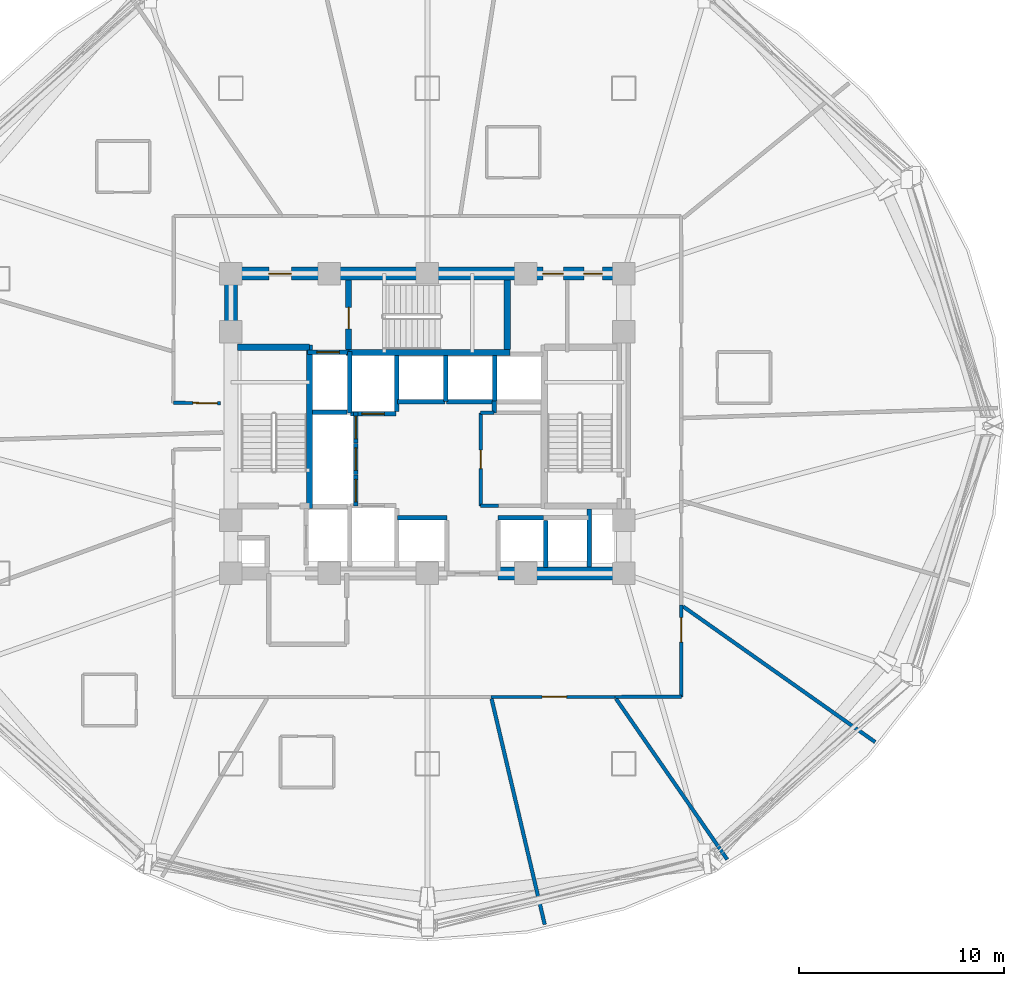
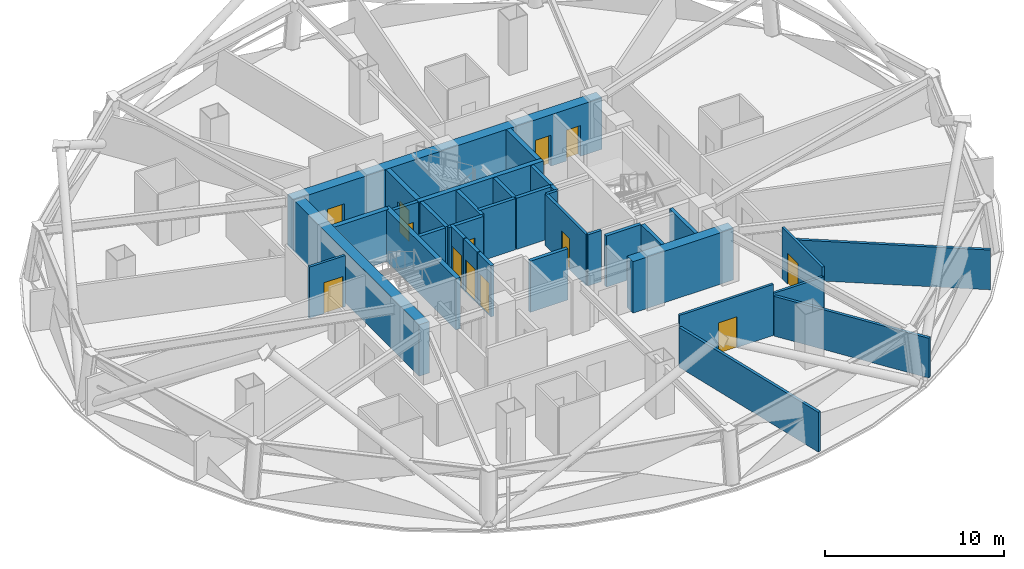
# One storey, part 6 of 13: 35 walls, 13 doors, 13 openings.
"""IFC4 building model written with IfcOpenShell, lengths in metres."""

from ifc_helpers import new_model, si_unit, direction, frame, frame_2d, origin, place, context, subcontext, project, spatial, rectangle, extrude, material, layer, layer_set, type_object, element, fill, save


model = new_model("IFC4")

# Units and contexts
model_context = context("Model", 3, precision=1e-05, world=origin(), true_north=direction((0.0, 1.0)))
body_context = subcontext(model_context, "Body", "Model", "MODEL_VIEW")
ifc_project = project(units=[si_unit("LENGTHUNIT", "METRE"), si_unit("AREAUNIT", "SQUARE_METRE"), si_unit("VOLUMEUNIT", "CUBIC_METRE"), si_unit("PLANEANGLEUNIT", "RADIAN"), si_unit("MASSUNIT", "GRAM", prefix="KILO")], contexts=[model_context])

# Site, building, storey
site_placement = place(None, origin())
site = spatial("IfcSite", under=ifc_project, at=site_placement, CompositionType="ELEMENT")
building_placement = place(site_placement, origin())
building = spatial("IfcBuilding", under=site, at=building_placement, Name="Vantalir Tower", CompositionType="ELEMENT")
storey_placement = place(building_placement, frame((0.0, 0.0, 87.0)))
storey = spatial("IfcBuildingStorey", under=building, at=storey_placement, Name="L21", CompositionType="ELEMENT", Elevation=87.0)

# Wall
ifc_material_1 = material(Name="Concrete C60/75", Category="concrete")
ifc_layer_1 = layer(ifc_material_1, 0.64990234375)
ifc_layer_set_1 = layer_set([ifc_layer_1], Name="Concrete C60/75")
wall_type_1 = type_object("IfcWallType", Name="WL-CORE-650", PredefinedType="SHEAR", material=ifc_layer_set_1)
wall_1_placement = place(storey_placement, frame((34.949951171875, 17.800048828125, 0.0), z_axis=(0.0, 0.0, 1.0), x_axis=(1.0, 0.0, 0.0)))
element("IfcWall", 1, at=wall_1_placement, inside=storey, type_object=wall_type_1, Name="L21 Core Shear Wall South-East", PredefinedType="SHEAR", context=body_context, shape_type="SweptSolid", body=[
    extrude(rectangle(XDim=6.47509765625, YDim=0.64990234375, at=frame_2d((3.237548828125, 0.0))), origin(), (0.0, 0.0, 1.0), 3.5),
])

# Wall, openings, doors
wall_2_placement = place(storey_placement, frame((21.574951171875, 32.449951171875, 0.0), z_axis=(0.0, 0.0, 1.0), x_axis=(1.0, 0.0, 0.0)))
wall_2 = element("IfcWall", 2, at=wall_2_placement, inside=storey, type_object=wall_type_1, Name="L21 Core Shear Wall North", PredefinedType="SHEAR", context=body_context, shape_type="SweptSolid", body=[
    extrude(rectangle(XDim=19.85009765625, YDim=0.64990234375, at=frame_2d((9.925048828125, 0.0))), origin(), (0.0, 0.0, 1.0), 3.5),
])
opening_1_placement = place(wall_2_placement, frame((2.175048828125, 0.0, 0.0)))
opening_1 = element("IfcOpeningElement", 3, at=opening_1_placement, cuts=wall_2, Name="Opening D-FFL", PredefinedType="OPENING", context=body_context, shape_type="SweptSolid", body=[
    extrude(rectangle(XDim=1.10009765625, YDim=2.10009765625, at=frame_2d((0.550048828125, 1.050048828125))), frame((0.0, 0.3349609375, 0.0), z_axis=(0.0, -1.0, 0.0), x_axis=(1.0, 0.0, 0.0)), (0.0, 0.0, 1.0), 0.669921875),
])
opening_2_placement = place(wall_2_placement, frame((15.56494140625, 0.0, 0.0)))
opening_2 = element("IfcOpeningElement", 4, at=opening_2_placement, cuts=wall_2, Name="Opening D-GUEST", PredefinedType="OPENING", context=body_context, shape_type="SweptSolid", body=[
    extrude(rectangle(XDim=1.0, YDim=2.10009765625, at=frame_2d((0.5, 1.050048828125))), frame((0.0, 0.3349609375, 0.0), z_axis=(0.0, -1.0, 0.0), x_axis=(1.0, 0.0, 0.0)), (0.0, 0.0, 1.0), 0.669921875),
])
opening_3_placement = place(wall_2_placement, frame((17.574951171875, 0.0, 0.0)))
opening_3 = element("IfcOpeningElement", 5, at=opening_3_placement, cuts=wall_2, Name="Opening D-CR", PredefinedType="OPENING", context=body_context, shape_type="SweptSolid", body=[
    extrude(rectangle(XDim=0.89990234375, YDim=2.10009765625, at=frame_2d((0.449951171875, 1.050048828125))), frame((0.0, 0.3349609375, 0.0), z_axis=(0.0, -1.0, 0.0), x_axis=(1.0, 0.0, 0.0)), (0.0, 0.0, 1.0), 0.669921875),
])
ifc_material_2 = material(Name="Fire-rated steel core service door", Category="steel")
door_type_1 = type_object("IfcDoorType", Name="DR-CORE-SERV-900", OperationType="NOTDEFINED", PredefinedType="DOOR", material=ifc_material_2)
door_1_placement = place(opening_3_placement, frame((0.89990234375, 0.0, 0.0), z_axis=(0.0, 0.0, 1.0), x_axis=(-1.0, 0.0, 0.0)))
door_1 = element("IfcDoor", 6, at=door_1_placement, inside=storey, type_object=door_type_1, Name="L21 Housekeeping and Linen Room Door", OperationType="SINGLE_SWING_RIGHT", OverallHeight=2.10009765625, OverallWidth=0.89990234375, PredefinedType="DOOR", context=body_context, shape_type="SweptSolid", body=[
    extrude(rectangle(XDim=0.89990234375, YDim=2.10009765625, at=frame_2d((0.449951171875, 1.050048828125))), frame((0.0, 0.02490234375, 0.0), z_axis=(0.0, -1.0, 0.0), x_axis=(1.0, 0.0, 0.0)), (0.0, 0.0, 1.0), 0.050048828125),
])
fill(opening_3, door_1)
ifc_material_3 = material(Name="Fire-rated acoustic steel door", Category="steel")
door_type_2 = type_object("IfcDoorType", Name="DR-FIRE-LOBBY-1100", OperationType="NOTDEFINED", PredefinedType="DOOR", material=ifc_material_3)
door_2_placement = place(opening_1_placement, frame((1.10009765625, 0.0, 0.0), z_axis=(0.0, 0.0, 1.0), x_axis=(-1.0, 0.0, 0.0)))
door_2 = element("IfcDoor", 7, at=door_2_placement, inside=storey, type_object=door_type_2, Name="L21 Firefighting Lobby East Access Door", OperationType="SINGLE_SWING_LEFT", OverallHeight=2.10009765625, OverallWidth=1.10009765625, PredefinedType="DOOR", context=body_context, shape_type="SweptSolid", body=[
    extrude(rectangle(XDim=1.10009765625, YDim=2.10009765625, at=frame_2d((0.550048828125, 1.050048828125))), frame((0.0, 0.02490234375, 0.0), z_axis=(0.0, -1.0, 0.0), x_axis=(1.0, 0.0, 0.0)), (0.0, 0.0, 1.0), 0.050048828125),
])
fill(opening_1, door_2)
ifc_material_4 = material(Name="Solid-core teak veneer acoustic fire door", Category="wood")
door_type_3 = type_object("IfcDoorType", Name="DR-GUEST-ENTRY-1000", OperationType="NOTDEFINED", PredefinedType="DOOR", material=ifc_material_4)
door_3_placement = place(opening_2_placement, frame((1.0, 0.0, 0.0), z_axis=(0.0, 0.0, 1.0), x_axis=(-1.0, 0.0, 0.0)))
door_3 = element("IfcDoor", 8, at=door_3_placement, inside=storey, type_object=door_type_3, Name="L21 High-Rise Lift Lobby Door", OperationType="SINGLE_SWING_LEFT", OverallHeight=2.10009765625, OverallWidth=1.0, PredefinedType="DOOR", context=body_context, shape_type="SweptSolid", body=[
    extrude(rectangle(XDim=1.0, YDim=2.10009765625, at=frame_2d((0.5, 1.050048828125))), frame((0.0, 0.02490234375, 0.0), z_axis=(0.0, -1.0, 0.0), x_axis=(1.0, 0.0, 0.0)), (0.0, 0.0, 1.0), 0.050048828125),
])
fill(opening_2, door_3)

# Wall
wall_3_placement = place(storey_placement, frame((21.89990234375, 18.125, 0.0), z_axis=(0.0, 0.0, 1.0), x_axis=(0.0, 1.0, 0.0)))
element("IfcWall", 9, at=wall_3_placement, inside=storey, type_object=wall_type_1, Name="L21 Core Shear Wall West", PredefinedType="SHEAR", context=body_context, shape_type="SweptSolid", body=[
    extrude(rectangle(XDim=14.0, YDim=0.64990234375, at=frame_2d((7.0, 0.0))), origin(), (0.0, 0.0, 1.0), 3.5),
])

# Wall, opening, door
ifc_material_5 = material(Name="Fire-rated hotel corridor acoustic partition", Category="gypsum")
ifc_layer_2 = layer(ifc_material_5, 0.159912109375)
ifc_layer_set_2 = layer_set([ifc_layer_2], Name="Fire-rated hotel corridor acoustic partition")
wall_type_2 = type_object("IfcWallType", Name="WL-CORR-160", PredefinedType="PARTITIONING", material=ifc_layer_set_2)
wall_4_placement = place(storey_placement, frame((21.39501953125, 26.115966796875, 0.0), z_axis=(0.0, 0.0, 1.0), x_axis=(-0.999954689974, 0.009519348646, 0.0)))
wall_4 = element("IfcWall", 10, at=wall_4_placement, inside=storey, type_object=wall_type_2, Name="L21 Corridor Partition 01", PredefinedType="PARTITIONING", context=body_context, shape_type="SweptSolid", body=[
    extrude(rectangle(XDim=2.30810546875, YDim=0.159912109375, at=frame_2d((1.154052734375, 0.0))), origin(), (0.0, 0.0, 1.0), 3.47998046875),
])
opening_4_placement = place(wall_4_placement, frame((0.159912109375, 0.0, 0.0)))
opening_4 = element("IfcOpeningElement", 11, at=opening_4_placement, cuts=wall_4, Name="Opening D-STE", PredefinedType="OPENING", context=body_context, shape_type="SweptSolid", body=[
    extrude(rectangle(XDim=1.199951171875, YDim=2.10009765625, at=frame_2d((0.60009765625, 1.050048828125))), frame((0.0, 0.08984375, 0.0), z_axis=(0.0, -1.0, 0.0), x_axis=(1.0, 0.0, 0.0)), (0.0, 0.0, 1.0), 0.179931640625),
])
ifc_material_6 = material(Name="Solid-core teak veneer suite entrance door", Category="wood")
door_type_4 = type_object("IfcDoorType", Name="DR-SUITE-ENTRY-1200", OperationType="NOTDEFINED", PredefinedType="DOOR", material=ifc_material_6)
door_4_placement = place(opening_4_placement, origin())
door_4 = element("IfcDoor", 12, at=door_4_placement, inside=storey, type_object=door_type_4, Name="L21 Executive Sky Boardroom 06 Door", OperationType="SINGLE_SWING_RIGHT", OverallHeight=2.10009765625, OverallWidth=1.199951171875, PredefinedType="DOOR", context=body_context, shape_type="SweptSolid", body=[
    extrude(rectangle(XDim=1.199951171875, YDim=2.10009765625, at=frame_2d((0.60009765625, 1.050048828125))), frame((0.0, 0.02490234375, 0.0), z_axis=(0.0, -1.0, 0.0), x_axis=(1.0, 0.0, 0.0)), (0.0, 0.0, 1.0), 0.050048828125),
])
fill(opening_4, door_4)

wall_5_placement = place(storey_placement, frame((43.906005859375, 16.24609375, 0.0), z_axis=(0.0, 0.0, 1.0), x_axis=(0.000436157411, -0.999999904883, 0.0)))
wall_5 = element("IfcWall", 13, at=wall_5_placement, inside=storey, type_object=wall_type_2, Name="L21 Corridor Partition 11", PredefinedType="PARTITIONING", context=body_context, shape_type="SweptSolid", body=[
    extrude(rectangle(XDim=4.47802734375, YDim=0.159912109375, at=frame_2d((2.239013671875, 0.0))), origin(), (0.0, 0.0, 1.0), 3.47998046875),
])
opening_5_placement = place(wall_5_placement, frame((0.60400390625, 0.0, 0.0)))
opening_5 = element("IfcOpeningElement", 14, at=opening_5_placement, cuts=wall_5, Name="Opening D-STE", PredefinedType="OPENING", context=body_context, shape_type="SweptSolid", body=[
    extrude(rectangle(XDim=1.199951171875, YDim=2.10009765625, at=frame_2d((0.60009765625, 1.050048828125))), frame((0.0, 0.08984375, 0.0), z_axis=(0.0, -1.0, 0.0), x_axis=(1.0, 0.0, 0.0)), (0.0, 0.0, 1.0), 0.179931640625),
])
door_5_placement = place(opening_5_placement, origin())
door_5 = element("IfcDoor", 15, at=door_5_placement, inside=storey, type_object=door_type_4, Name="L21 Executive Sky Boardroom 11 Door", OperationType="SINGLE_SWING_LEFT", OverallHeight=2.10009765625, OverallWidth=1.199951171875, PredefinedType="DOOR", context=body_context, shape_type="SweptSolid", body=[
    extrude(rectangle(XDim=1.199951171875, YDim=2.10009765625, at=frame_2d((0.60009765625, 1.050048828125))), frame((0.0, 0.02490234375, 0.0), z_axis=(0.0, -1.0, 0.0), x_axis=(1.0, 0.0, 0.0)), (0.0, 0.0, 1.0), 0.050048828125),
])
fill(opening_5, door_5)

# Wall
wall_6_placement = place(storey_placement, frame((43.907958984375, 11.76806640625, 0.0), z_axis=(0.0, 0.0, 1.0), x_axis=(-0.999999819748, -0.000600420186, 0.0)))
element("IfcWall", 16, at=wall_6_placement, inside=storey, type_object=wall_type_2, Name="L21 Corridor Partition 12", PredefinedType="PARTITIONING", context=body_context, shape_type="SweptSolid", body=[
    extrude(rectangle(XDim=3.2529296875, YDim=0.159912109375, at=frame_2d((1.62646484375, 0.0))), origin(), (0.0, 0.0, 1.0), 2.85791015625),
])

# Wall, opening, door
wall_7_placement = place(storey_placement, frame((40.655029296875, 11.76611328125, 0.0), z_axis=(0.0, 0.0, 1.0), x_axis=(-0.999999933831, -0.000363783323, 0.0)))
wall_7 = element("IfcWall", 17, at=wall_7_placement, inside=storey, type_object=wall_type_2, Name="L21 Corridor Partition 13", PredefinedType="PARTITIONING", context=body_context, shape_type="SweptSolid", body=[
    extrude(rectangle(XDim=6.0400390625, YDim=0.159912109375, at=frame_2d((3.02001953125, 0.0))), origin(), (0.0, 0.0, 1.0), 3.47998046875),
])
opening_6_placement = place(wall_7_placement, frame((2.346923828125, 0.0, 0.0)))
opening_6 = element("IfcOpeningElement", 18, at=opening_6_placement, cuts=wall_7, Name="Opening D-STE", PredefinedType="OPENING", context=body_context, shape_type="SweptSolid", body=[
    extrude(rectangle(XDim=1.199951171875, YDim=2.10009765625, at=frame_2d((0.60009765625, 1.050048828125))), frame((0.0, 0.08984375, 0.0), z_axis=(0.0, -1.0, 0.0), x_axis=(1.0, 0.0, 0.0)), (0.0, 0.0, 1.0), 0.179931640625),
])
door_6_placement = place(opening_6_placement, origin())
door_6 = element("IfcDoor", 19, at=door_6_placement, inside=storey, type_object=door_type_4, Name="L21 Club Reading Lounge 10 Door", OperationType="SINGLE_SWING_RIGHT", OverallHeight=2.10009765625, OverallWidth=1.199951171875, PredefinedType="DOOR", context=body_context, shape_type="SweptSolid", body=[
    extrude(rectangle(XDim=1.199951171875, YDim=2.10009765625, at=frame_2d((0.60009765625, 1.050048828125))), frame((0.0, 0.02490234375, 0.0), z_axis=(0.0, -1.0, 0.0), x_axis=(1.0, 0.0, 0.0)), (0.0, 0.0, 1.0), 0.050048828125),
])
fill(opening_6, door_6)

# Walls
ifc_material_7 = material(Name="Concrete blockwork with fireboard lining", Category="masonry")
ifc_layer_3 = layer(ifc_material_7, 0.219970703125)
ifc_layer_set_3 = layer_set([ifc_layer_3], Name="Concrete blockwork with fireboard lining")
wall_type_3 = type_object("IfcWallType", Name="WL-FFL-220", PredefinedType="PARTITIONING", material=ifc_layer_set_3)
wall_8_placement = place(storey_placement, frame((37.27490234375, 18.080078125, 0.0), z_axis=(0.0, 0.0, 1.0), x_axis=(0.0, 1.0, 0.0)))
element("IfcWall", 20, at=wall_8_placement, inside=storey, type_object=wall_type_3, Name="L21 Shuttle Lift PL-X2/X3 Shaft Divider", PredefinedType="PARTITIONING", context=body_context, shape_type="SweptSolid", body=[
    extrude(rectangle(XDim=2.309814453125, YDim=0.219970703125, at=frame_2d((1.15478515625, 0.0))), origin(), (0.0, 0.0, 1.0), 3.47509765625),
])
wall_9_placement = place(storey_placement, frame((30.0, 25.7099609375, 0.0), z_axis=(0.0, 0.0, 1.0), x_axis=(0.0, 1.0, 0.0)))
element("IfcWall", 21, at=wall_9_placement, inside=storey, type_object=wall_type_3, Name="L21 Service Lift SV2 East Shaft Wall", PredefinedType="PARTITIONING", context=body_context, shape_type="SweptSolid", body=[
    extrude(rectangle(XDim=2.72998046875, YDim=0.219970703125, at=frame_2d((1.364990234375, 0.0))), origin(), (0.0, 0.0, 1.0), 3.47509765625),
])
wall_10_placement = place(storey_placement, frame((32.39990234375, 26.199951171875, 0.0), z_axis=(0.0, 0.0, 1.0), x_axis=(0.0, 1.0, 0.0)))
element("IfcWall", 22, at=wall_10_placement, inside=storey, type_object=wall_type_3, Name="L21 High-Rise Lift PL-H1/H2 Shaft Divider", PredefinedType="PARTITIONING", context=body_context, shape_type="SweptSolid", body=[
    extrude(rectangle(XDim=2.239990234375, YDim=0.219970703125, at=frame_2d((1.1201171875, 0.0))), origin(), (0.0, 0.0, 1.0), 3.47509765625),
])
wall_11_placement = place(storey_placement, frame((34.800048828125, 26.22998046875, 0.0), z_axis=(0.0, 0.0, 1.0), x_axis=(0.0, 1.0, 0.0)))
element("IfcWall", 23, at=wall_11_placement, inside=storey, type_object=wall_type_3, Name="L21 High-Rise Lift PL-H2/H3 Shaft Divider", PredefinedType="PARTITIONING", context=body_context, shape_type="SweptSolid", body=[
    extrude(rectangle(XDim=2.2099609375, YDim=0.219970703125, at=frame_2d((1.10498046875, 0.0))), origin(), (0.0, 0.0, 1.0), 3.47509765625),
])
wall_12_placement = place(storey_placement, frame((39.419921875, 18.125, 0.0), z_axis=(0.0, 0.0, 1.0), x_axis=(0.0, 1.0, 0.0)))
element("IfcWall", 24, at=wall_12_placement, inside=storey, type_object=wall_type_3, Name="L21 East MEP Riser Wall W", PredefinedType="PARTITIONING", context=body_context, shape_type="SweptSolid", body=[
    extrude(rectangle(XDim=2.824951171875, YDim=0.219970703125, at=frame_2d((1.41259765625, 0.0))), origin(), (0.0, 0.0, 1.0), 3.47998046875),
])

# Wall, opening, door
wall_13_placement = place(storey_placement, frame((25.639892578125, 28.610107421875, 0.0), z_axis=(0.0, 0.0, 1.0), x_axis=(1.0, 0.0, 0.0)))
wall_13 = element("IfcWall", 25, at=wall_13_placement, inside=storey, type_object=wall_type_3, Name="L21 Lift FL2 Shaft Front Wall", PredefinedType="PARTITIONING", context=body_context, shape_type="SweptSolid", body=[
    extrude(rectangle(XDim=2.02001953125, YDim=0.219970703125, at=frame_2d((1.010009765625, 0.0))), origin(), (0.0, 0.0, 1.0), 3.47998046875),
])
opening_7_placement = place(wall_13_placement, frame((0.4599609375, 0.0, 0.0)))
opening_7 = element("IfcOpeningElement", 26, at=opening_7_placement, cuts=wall_13, Name="Opening LD-FL2", PredefinedType="OPENING", context=body_context, shape_type="SweptSolid", body=[
    extrude(rectangle(XDim=1.10009765625, YDim=2.199951171875, at=frame_2d((0.550048828125, 1.10009765625))), frame((0.0, 0.119873046875, 0.0), z_axis=(0.0, -1.0, 0.0), x_axis=(1.0, 0.0, 0.0)), (0.0, 0.0, 1.0), 0.239990234375),
])
ifc_material_8 = material(Name="Brushed stainless-steel sliding lift landing door", Category="steel")
door_type_5 = type_object("IfcDoorType", Name="DR-LIFT-LANDING-1100", OperationType="DOUBLE_DOOR_SLIDING", PredefinedType="DOOR", material=ifc_material_8)
door_7_placement = place(opening_7_placement, origin())
door_7 = element("IfcDoor", 27, at=door_7_placement, inside=storey, type_object=door_type_5, Name="L21 Lift Landing Door FL2", OperationType="DOUBLE_DOOR_SLIDING", OverallHeight=2.199951171875, OverallWidth=1.10009765625, PredefinedType="DOOR", context=body_context, shape_type="SweptSolid", body=[
    extrude(rectangle(XDim=1.10009765625, YDim=2.199951171875, at=frame_2d((0.550048828125, 1.10009765625))), frame((0.0, 0.02490234375, 0.0), z_axis=(0.0, -1.0, 0.0), x_axis=(1.0, 0.0, 0.0)), (0.0, 0.0, 1.0), 0.050048828125),
])
fill(opening_7, door_7)

wall_14_placement = place(storey_placement, frame((27.739990234375, 25.590087890625, 0.0), z_axis=(0.0, 0.0, 1.0), x_axis=(1.0, 0.0, 0.0)))
wall_14 = element("IfcWall", 28, at=wall_14_placement, inside=storey, type_object=wall_type_3, Name="L21 Lift SV2 Shaft Front Wall", PredefinedType="PARTITIONING", context=body_context, shape_type="SweptSolid", body=[
    extrude(rectangle(XDim=2.219970703125, YDim=0.219970703125, at=frame_2d((1.10986328125, 0.0))), origin(), (0.0, 0.0, 1.0), 3.47998046875),
])
opening_8_placement = place(wall_14_placement, frame((0.56005859375, 0.0, 0.0)))
opening_8 = element("IfcOpeningElement", 29, at=opening_8_placement, cuts=wall_14, Name="Opening LD-SV2", PredefinedType="OPENING", context=body_context, shape_type="SweptSolid", body=[
    extrude(rectangle(XDim=1.10009765625, YDim=2.199951171875, at=frame_2d((0.550048828125, 1.10009765625))), frame((0.0, 0.119873046875, 0.0), z_axis=(0.0, -1.0, 0.0), x_axis=(1.0, 0.0, 0.0)), (0.0, 0.0, 1.0), 0.239990234375),
])
door_8_placement = place(opening_8_placement, frame((1.10009765625, 0.0, 0.0), z_axis=(0.0, 0.0, 1.0), x_axis=(-1.0, 0.0, 0.0)))
door_8 = element("IfcDoor", 30, at=door_8_placement, inside=storey, type_object=door_type_5, Name="L21 Lift Landing Door SV2", OperationType="DOUBLE_DOOR_SLIDING", OverallHeight=2.199951171875, OverallWidth=1.10009765625, PredefinedType="DOOR", context=body_context, shape_type="SweptSolid", body=[
    extrude(rectangle(XDim=1.10009765625, YDim=2.199951171875, at=frame_2d((0.550048828125, 1.10009765625))), frame((0.0, 0.02490234375, 0.0), z_axis=(0.0, -1.0, 0.0), x_axis=(1.0, 0.0, 0.0)), (0.0, 0.0, 1.0), 0.050048828125),
])
fill(opening_8, door_8)

# Walls
wall_15_placement = place(storey_placement, frame((30.0400390625, 20.510009765625, 0.0), z_axis=(0.0, 0.0, 1.0), x_axis=(1.0, 0.0, 0.0)))
element("IfcWall", 31, at=wall_15_placement, inside=storey, type_object=wall_type_3, Name="L21 Lift PL-X1 Shaft Front Wall", PredefinedType="PARTITIONING", context=body_context, shape_type="SweptSolid", body=[
    extrude(rectangle(XDim=2.419921875, YDim=0.219970703125, at=frame_2d((1.2099609375, 0.0))), origin(), (0.0, 0.0, 1.0), 3.47998046875),
])
wall_16_placement = place(storey_placement, frame((34.93994140625, 20.510009765625, 0.0), z_axis=(0.0, 0.0, 1.0), x_axis=(1.0, 0.0, 0.0)))
element("IfcWall", 32, at=wall_16_placement, inside=storey, type_object=wall_type_3, Name="L21 Lift PL-X3 Shaft Front Wall", PredefinedType="PARTITIONING", context=body_context, shape_type="SweptSolid", body=[
    extrude(rectangle(XDim=2.239990234375, YDim=0.219970703125, at=frame_2d((1.1201171875, 0.0))), origin(), (0.0, 0.0, 1.0), 3.47998046875),
])
for number, where, z_axis, x_axis, name in (
    (33, (30.0400390625, 26.18994140625, 0.0), (0.0, 0.0, 1.0), (1.0, 0.0, 0.0), "L21 Lift PL-H1 Shaft Front Wall"),
    (34, (32.43994140625, 26.18994140625, 0.0), (0.0, 0.0, 1.0), (1.0, 0.0, 0.0), "L21 Lift PL-H2 Shaft Front Wall"),
):
    element("IfcWall", number, at=place(storey_placement, frame(where, z_axis=z_axis, x_axis=x_axis)), inside=storey, type_object=wall_type_3, Name=name, PredefinedType="PARTITIONING", context=body_context, shape_type="SweptSolid", body=[
        extrude(rectangle(XDim=2.320068359375, YDim=0.219970703125, at=frame_2d((1.16015625, 0.0))), origin(), (0.0, 0.0, 1.0), 3.47998046875),
    ])

# Wall, opening, door
wall_17_placement = place(storey_placement, frame((28.010009765625, 21.10009765625, 0.0), z_axis=(0.0, 0.0, 1.0), x_axis=(0.0, 1.0, 0.0)))
wall_17 = element("IfcWall", 35, at=wall_17_placement, inside=storey, type_object=wall_type_3, Name="L21 Lift PL-L1 Shaft Front Wall", PredefinedType="PARTITIONING", context=body_context, shape_type="SweptSolid", body=[
    extrude(rectangle(XDim=1.5, YDim=0.219970703125, at=frame_2d((0.75, 0.0))), origin(), (0.0, 0.0, 1.0), 3.47998046875),
])
opening_9_placement = place(wall_17_placement, frame((0.199951171875, 0.0, 0.0)))
opening_9 = element("IfcOpeningElement", 36, at=opening_9_placement, cuts=wall_17, Name="Opening LD-PL-L1", PredefinedType="OPENING", context=body_context, shape_type="SweptSolid", body=[
    extrude(rectangle(XDim=1.10009765625, YDim=2.199951171875, at=frame_2d((0.550048828125, 1.10009765625))), frame((0.0, 0.119873046875, 0.0), z_axis=(0.0, -1.0, 0.0), x_axis=(1.0, 0.0, 0.0)), (0.0, 0.0, 1.0), 0.239990234375),
])
door_9_placement = place(opening_9_placement, frame((1.10009765625, 0.0, 0.0), z_axis=(0.0, 0.0, 1.0), x_axis=(-1.0, 0.0, 0.0)))
door_9 = element("IfcDoor", 37, at=door_9_placement, inside=storey, type_object=door_type_5, Name="L21 Lift Landing Door PL-L1", OperationType="DOUBLE_DOOR_SLIDING", OverallHeight=2.199951171875, OverallWidth=1.10009765625, PredefinedType="DOOR", context=body_context, shape_type="SweptSolid", body=[
    extrude(rectangle(XDim=1.10009765625, YDim=2.199951171875, at=frame_2d((0.550048828125, 1.10009765625))), frame((0.0, 0.02490234375, 0.0), z_axis=(0.0, -1.0, 0.0), x_axis=(1.0, 0.0, 0.0)), (0.0, 0.0, 1.0), 0.050048828125),
])
fill(opening_9, door_9)

wall_18_placement = place(storey_placement, frame((28.010009765625, 22.639892578125, 0.0), z_axis=(0.0, 0.0, 1.0), x_axis=(0.0, 1.0, 0.0)))
wall_18 = element("IfcWall", 38, at=wall_18_placement, inside=storey, type_object=wall_type_3, Name="L21 Lift PL-L2 Shaft Front Wall", PredefinedType="PARTITIONING", context=body_context, shape_type="SweptSolid", body=[
    extrude(rectangle(XDim=1.5, YDim=0.219970703125, at=frame_2d((0.75, 0.0))), origin(), (0.0, 0.0, 1.0), 3.47998046875),
])
opening_10_placement = place(wall_18_placement, frame((0.199951171875, 0.0, 0.0)))
opening_10 = element("IfcOpeningElement", 39, at=opening_10_placement, cuts=wall_18, Name="Opening LD-PL-L2", PredefinedType="OPENING", context=body_context, shape_type="SweptSolid", body=[
    extrude(rectangle(XDim=1.10009765625, YDim=2.199951171875, at=frame_2d((0.550048828125, 1.10009765625))), frame((0.0, 0.119873046875, 0.0), z_axis=(0.0, -1.0, 0.0), x_axis=(1.0, 0.0, 0.0)), (0.0, 0.0, 1.0), 0.239990234375),
])
door_10_placement = place(opening_10_placement, frame((1.10009765625, 0.0, 0.0), z_axis=(0.0, 0.0, 1.0), x_axis=(-1.0, 0.0, 0.0)))
door_10 = element("IfcDoor", 40, at=door_10_placement, inside=storey, type_object=door_type_5, Name="L21 Lift Landing Door PL-L2", OperationType="DOUBLE_DOOR_SLIDING", OverallHeight=2.199951171875, OverallWidth=1.10009765625, PredefinedType="DOOR", context=body_context, shape_type="SweptSolid", body=[
    extrude(rectangle(XDim=1.10009765625, YDim=2.199951171875, at=frame_2d((0.550048828125, 1.10009765625))), frame((0.0, 0.02490234375, 0.0), z_axis=(0.0, -1.0, 0.0), x_axis=(1.0, 0.0, 0.0)), (0.0, 0.0, 1.0), 0.050048828125),
])
fill(opening_10, door_10)

wall_19_placement = place(storey_placement, frame((28.010009765625, 24.179931640625, 0.0), z_axis=(0.0, 0.0, 1.0), x_axis=(0.0, 1.0, 0.0)))
wall_19 = element("IfcWall", 41, at=wall_19_placement, inside=storey, type_object=wall_type_3, Name="L21 Lift PL-L3 Shaft Front Wall", PredefinedType="PARTITIONING", context=body_context, shape_type="SweptSolid", body=[
    extrude(rectangle(XDim=1.5, YDim=0.219970703125, at=frame_2d((0.75, 0.0))), origin(), (0.0, 0.0, 1.0), 3.47998046875),
])
opening_11_placement = place(wall_19_placement, frame((0.199951171875, 0.0, 0.0)))
opening_11 = element("IfcOpeningElement", 42, at=opening_11_placement, cuts=wall_19, Name="Opening LD-PL-L3", PredefinedType="OPENING", context=body_context, shape_type="SweptSolid", body=[
    extrude(rectangle(XDim=1.10009765625, YDim=2.199951171875, at=frame_2d((0.550048828125, 1.10009765625))), frame((0.0, 0.119873046875, 0.0), z_axis=(0.0, -1.0, 0.0), x_axis=(1.0, 0.0, 0.0)), (0.0, 0.0, 1.0), 0.239990234375),
])
door_11_placement = place(opening_11_placement, frame((1.10009765625, 0.0, 0.0), z_axis=(0.0, 0.0, 1.0), x_axis=(-1.0, 0.0, 0.0)))
door_11 = element("IfcDoor", 43, at=door_11_placement, inside=storey, type_object=door_type_5, Name="L21 Lift Landing Door PL-L3", OperationType="DOUBLE_DOOR_SLIDING", OverallHeight=2.199951171875, OverallWidth=1.10009765625, PredefinedType="DOOR", context=body_context, shape_type="SweptSolid", body=[
    extrude(rectangle(XDim=1.10009765625, YDim=2.199951171875, at=frame_2d((0.550048828125, 1.10009765625))), frame((0.0, 0.02490234375, 0.0), z_axis=(0.0, -1.0, 0.0), x_axis=(1.0, 0.0, 0.0)), (0.0, 0.0, 1.0), 0.050048828125),
])
fill(opening_11, door_11)

# Walls
wall_20_placement = place(storey_placement, frame((27.699951171875, 25.64990234375, 0.0), z_axis=(0.0, 0.0, 1.0), x_axis=(0.0, 1.0, 0.0)))
element("IfcWall", 44, at=wall_20_placement, inside=storey, type_object=wall_type_3, Name="L21 Fire Lift FL2 Dividing Wall", PredefinedType="PARTITIONING", context=body_context, shape_type="SweptSolid", body=[
    extrude(rectangle(XDim=3.0, YDim=0.219970703125, at=frame_2d((1.5, 0.0))), origin(), (0.0, 0.0, 1.0), 3.47998046875),
])
wall_21_placement = place(storey_placement, frame((25.8798828125, 25.679931640625, 0.0), z_axis=(0.0, 0.0, 1.0), x_axis=(1.0, 0.0, 0.0)))
element("IfcWall", 45, at=wall_21_placement, inside=storey, type_object=wall_type_3, Name="L21 Low-Rise Bank North Wall", PredefinedType="PARTITIONING", context=body_context, shape_type="SweptSolid", body=[
    extrude(rectangle(XDim=1.7001953125, YDim=0.219970703125, at=frame_2d((0.85009765625, 0.0))), origin(), (0.0, 0.0, 1.0), 3.47998046875),
])
wall_22_placement = place(storey_placement, frame((34.760009765625, 25.64990234375, 0.0), z_axis=(0.0, 0.0, 1.0), x_axis=(0.0, 1.0, 0.0)))
element("IfcWall", 46, at=wall_22_placement, inside=storey, type_object=wall_type_3, Name="L21 High-Rise Shaft Shoulder Wall", PredefinedType="PARTITIONING", context=body_context, shape_type="SweptSolid", body=[
    extrude(rectangle(XDim=0.570068359375, YDim=0.219970703125, at=frame_2d((0.28515625, 0.0))), origin(), (0.0, 0.0, 1.0), 3.47998046875),
])
ifc_material_9 = material(Name="Twin-stud acoustic fire-rated gypsum partition", Category="gypsum")
ifc_layer_4 = layer(ifc_material_9, 0.179931640625)
ifc_layer_set_4 = layer_set([ifc_layer_4], Name="Twin-stud acoustic fire-rated gypsum partition")
wall_type_4 = type_object("IfcWallType", Name="WL-GUEST-180", PredefinedType="PARTITIONING", material=ifc_layer_set_4)
wall_23_placement = place(storey_placement, frame((34.10009765625, 21.10009765625, 0.0), z_axis=(0.0, 0.0, 1.0), x_axis=(1.0, 0.0, 0.0)))
element("IfcWall", 47, at=wall_23_placement, inside=storey, type_object=wall_type_4, Name="L21 East Core Room South Return", PredefinedType="PARTITIONING", context=body_context, shape_type="SweptSolid", body=[
    extrude(rectangle(XDim=0.8798828125, YDim=0.179931640625, at=frame_2d((0.43994140625, 0.0))), origin(), (0.0, 0.0, 1.0), 3.47998046875),
])
wall_24_placement = place(storey_placement, frame((34.10009765625, 25.64990234375, 0.0), z_axis=(0.0, 0.0, 1.0), x_axis=(1.0, 0.0, 0.0)))
element("IfcWall", 48, at=wall_24_placement, inside=storey, type_object=wall_type_4, Name="L21 East Core Room North Return", PredefinedType="PARTITIONING", context=body_context, shape_type="SweptSolid", body=[
    extrude(rectangle(XDim=0.659912109375, YDim=0.179931640625, at=frame_2d((0.330078125, 0.0))), origin(), (0.0, 0.0, 1.0), 3.47998046875),
])

# Wall, opening, door
wall_25_placement = place(storey_placement, frame((34.10009765625, 21.10009765625, 0.0), z_axis=(0.0, 0.0, 1.0), x_axis=(0.0, 1.0, 0.0)))
wall_25 = element("IfcWall", 49, at=wall_25_placement, inside=storey, type_object=wall_type_4, Name="L21 East Core Room West Wall", PredefinedType="PARTITIONING", context=body_context, shape_type="SweptSolid", body=[
    extrude(rectangle(XDim=4.5498046875, YDim=0.179931640625, at=frame_2d((2.27490234375, 0.0))), origin(), (0.0, 0.0, 1.0), 3.47998046875),
])
opening_12_placement = place(wall_25_placement, frame((1.824951171875, 0.0, 0.0)))
opening_12 = element("IfcOpeningElement", 50, at=opening_12_placement, cuts=wall_25, Name="Opening D-CR", PredefinedType="OPENING", context=body_context, shape_type="SweptSolid", body=[
    extrude(rectangle(XDim=0.89990234375, YDim=2.10009765625, at=frame_2d((0.449951171875, 1.050048828125))), frame((0.0, 0.099853515625, 0.0), z_axis=(0.0, -1.0, 0.0), x_axis=(1.0, 0.0, 0.0)), (0.0, 0.0, 1.0), 0.199951171875),
])
door_12_placement = place(opening_12_placement, frame((0.89990234375, 0.0, 0.0), z_axis=(0.0, 0.0, 1.0), x_axis=(-1.0, 0.0, 0.0)))
door_12 = element("IfcDoor", 51, at=door_12_placement, inside=storey, type_object=door_type_1, Name="L21 Core Linen Store Door", OperationType="SINGLE_SWING_LEFT", OverallHeight=2.10009765625, OverallWidth=0.89990234375, PredefinedType="DOOR", context=body_context, shape_type="SweptSolid", body=[
    extrude(rectangle(XDim=0.89990234375, YDim=2.10009765625, at=frame_2d((0.449951171875, 1.050048828125))), frame((0.0, 0.02490234375, 0.0), z_axis=(0.0, -1.0, 0.0), x_axis=(1.0, 0.0, 0.0)), (0.0, 0.0, 1.0), 0.050048828125),
])
fill(opening_12, door_12)

# Walls
wall_26_placement = place(storey_placement, frame((34.635986328125, 11.675048828125, 0.0), z_axis=(0.0, 0.0, 1.0), x_axis=(0.229074156674, -0.973408974041, 0.0)))
element("IfcWall", 52, at=wall_26_placement, inside=storey, type_object=wall_type_4, Name="L21 Radial Suite Partition 10", PredefinedType="PARTITIONING", context=body_context, shape_type="SweptSolid", body=[
    extrude(rectangle(XDim=11.332275390625, YDim=0.179931640625, at=frame_2d((5.666015625, 0.0))), origin(), (0.0, 0.0, 1.0), 2.705078125),
])
wall_27_placement = place(storey_placement, frame((40.718017578125, 11.675048828125, 0.0), z_axis=(0.0, 0.0, 1.0), x_axis=(0.568928165184, -0.822387221971, 0.0)))
element("IfcWall", 53, at=wall_27_placement, inside=storey, type_object=wall_type_4, Name="L21 Radial Suite Partition 11", PredefinedType="PARTITIONING", context=body_context, shape_type="SweptSolid", body=[
    extrude(rectangle(XDim=9.551513671875, YDim=0.179931640625, at=frame_2d((4.77587890625, 0.0))), origin(), (0.0, 0.0, 1.0), 2.705078125),
])
wall_28_placement = place(storey_placement, frame((43.989990234375, 16.18603515625, 0.0), z_axis=(0.0, 0.0, 1.0), x_axis=(0.817069126353, -0.576539714817, 0.0)))
element("IfcWall", 54, at=wall_28_placement, inside=storey, type_object=wall_type_4, Name="L21 Radial Suite Partition 12", PredefinedType="PARTITIONING", context=body_context, shape_type="SweptSolid", body=[
    extrude(rectangle(XDim=11.490966796875, YDim=0.179931640625, at=frame_2d((5.74560546875, 0.0))), origin(), (0.0, 0.0, 1.0), 2.705078125),
])
ifc_material_10 = material(Name="Concrete C50/60", Category="concrete")
ifc_layer_5 = layer(ifc_material_10, 0.300048828125)
ifc_layer_set_5 = layer_set([ifc_layer_5], Name="Concrete C50/60")
wall_type_5 = type_object("IfcWallType", Name="WL-STAIR-300", PredefinedType="SHEAR", material=ifc_layer_set_5)
wall_29_placement = place(storey_placement, frame((22.22509765625, 28.85009765625, 0.0), z_axis=(0.0, 0.0, 1.0), x_axis=(1.0, 0.0, 0.0)))
element("IfcWall", 55, at=wall_29_placement, inside=storey, type_object=wall_type_5, Name="L21 Stair ST1 North Wall", PredefinedType="SHEAR", context=body_context, shape_type="SweptSolid", body=[
    extrude(rectangle(XDim=3.514892578125, YDim=0.300048828125, at=frame_2d((1.75732421875, 0.0))), origin(), (0.0, 0.0, 1.0), 3.5),
])
wall_30_placement = place(storey_placement, frame((25.739990234375, 20.97998046875, 0.0), z_axis=(0.0, 0.0, 1.0), x_axis=(0.0, 1.0, 0.0)))
element("IfcWall", 56, at=wall_30_placement, inside=storey, type_object=wall_type_5, Name="L21 Stair ST1 East Wall", PredefinedType="SHEAR", context=body_context, shape_type="SweptSolid", body=[
    extrude(rectangle(XDim=7.989990234375, YDim=0.300048828125, at=frame_2d((3.9951171875, 0.0))), origin(), (0.0, 0.0, 1.0), 3.5),
])
wall_31_placement = place(storey_placement, frame((27.510009765625, 28.60009765625, 0.0), z_axis=(0.0, 0.0, 1.0), x_axis=(1.0, 0.0, 0.0)))
element("IfcWall", 57, at=wall_31_placement, inside=storey, type_object=wall_type_5, Name="L21 Stair ST3 South Wall", PredefinedType="SHEAR", context=body_context, shape_type="SweptSolid", body=[
    extrude(rectangle(XDim=8.030029296875, YDim=0.300048828125, at=frame_2d((4.01513671875, 0.0))), origin(), (0.0, 0.0, 1.0), 3.5),
])

# Wall, opening, door
wall_32_placement = place(storey_placement, frame((27.64990234375, 28.75, 0.0), z_axis=(0.0, 0.0, 1.0), x_axis=(0.0, 1.0, 0.0)))
wall_32 = element("IfcWall", 58, at=wall_32_placement, inside=storey, type_object=wall_type_5, Name="L21 Stair ST3 West Wall", PredefinedType="SHEAR", context=body_context, shape_type="SweptSolid", body=[
    extrude(rectangle(XDim=3.375, YDim=0.300048828125, at=frame_2d((1.6875, 0.0))), origin(), (0.0, 0.0, 1.0), 3.5),
])
opening_13_placement = place(wall_32_placement, frame((1.0, 0.0, 0.0)))
opening_13 = element("IfcOpeningElement", 59, at=opening_13_placement, cuts=wall_32, Name="Opening D-ST", PredefinedType="OPENING", context=body_context, shape_type="SweptSolid", body=[
    extrude(rectangle(XDim=1.050048828125, YDim=2.10009765625, at=frame_2d((0.52490234375, 1.050048828125))), frame((0.0, 0.159912109375, 0.0), z_axis=(0.0, -1.0, 0.0), x_axis=(1.0, 0.0, 0.0)), (0.0, 0.0, 1.0), 0.320068359375),
])
ifc_material_11 = material(Name="Fire-rated steel door leaf", Category="steel")
door_type_6 = type_object("IfcDoorType", Name="DR-FIRE-STAIR-1050", OperationType="NOTDEFINED", PredefinedType="DOOR", material=ifc_material_11)
door_13_placement = place(opening_13_placement, frame((1.050048828125, 0.0, 0.0), z_axis=(0.0, 0.0, 1.0), x_axis=(-1.0, 0.0, 0.0)))
door_13 = element("IfcDoor", 60, at=door_13_placement, inside=storey, type_object=door_type_6, Name="L21 Exit Stair ST3 Fire Door", OperationType="SINGLE_SWING_RIGHT", OverallHeight=2.10009765625, OverallWidth=1.050048828125, PredefinedType="DOOR", context=body_context, shape_type="SweptSolid", body=[
    extrude(rectangle(XDim=1.050048828125, YDim=2.10009765625, at=frame_2d((0.52490234375, 1.050048828125))), frame((0.0, 0.02490234375, 0.0), z_axis=(0.0, -1.0, 0.0), x_axis=(1.0, 0.0, 0.0)), (0.0, 0.0, 1.0), 0.050048828125),
])
fill(opening_13, door_13)

# Wall
wall_33_placement = place(storey_placement, frame((35.39990234375, 28.75, 0.0), z_axis=(0.0, 0.0, 1.0), x_axis=(0.0, 1.0, 0.0)))
element("IfcWall", 61, at=wall_33_placement, inside=storey, type_object=wall_type_5, Name="L21 Stair ST3 East Wall", PredefinedType="SHEAR", context=body_context, shape_type="SweptSolid", body=[
    extrude(rectangle(XDim=3.375, YDim=0.300048828125, at=frame_2d((1.6875, 0.0))), origin(), (0.0, 0.0, 1.0), 3.5),
])

save(model, "model.ifc")
